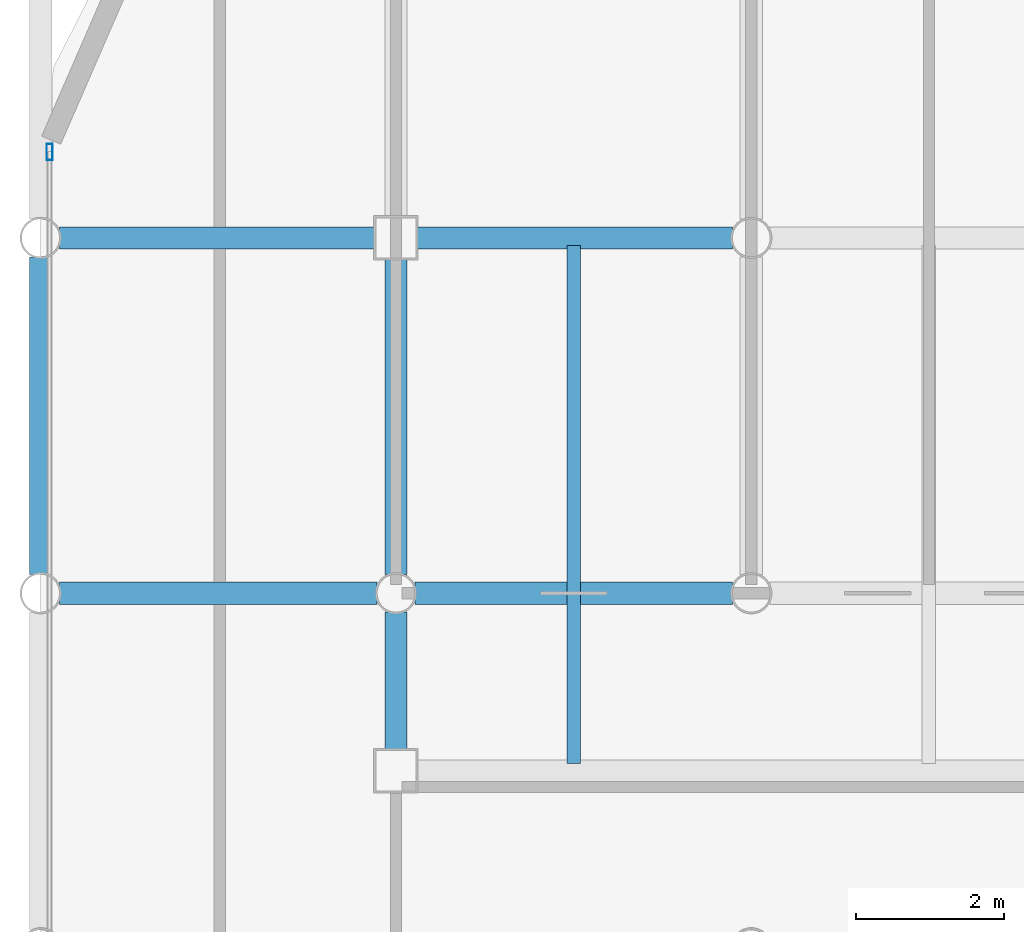
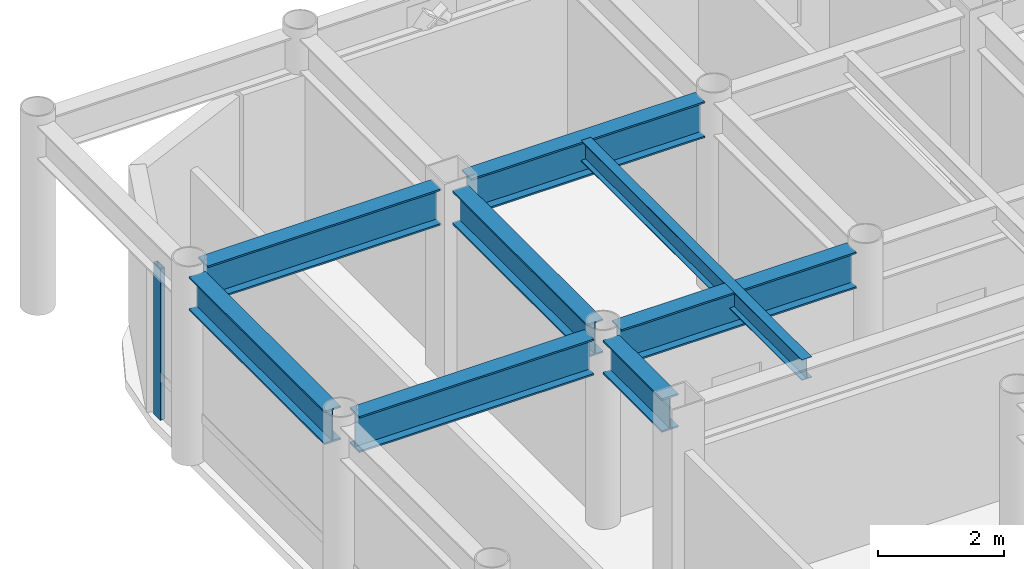
# One storey, part 11 of 21: 8 beams, 1 member, 1 element without a shape of its own.
"""IFC4 building model written with IfcOpenShell, lengths in metres."""

from ifc_helpers import new_model, si_unit, direction, frame, origin, origin_2d, place, context, subcontext, project, spatial, hollow_rectangle, i_section, extrude, material, layer, layer_set, material_profile, profile_set, type_object, element, aggregate, save


model = new_model("IFC4")

# Units and contexts
model_context = context("Model", 3, precision=1e-05, world=origin(), true_north=direction((0.0, 1.0)))
body_context = subcontext(model_context, "Body", "Model", "MODEL_VIEW")
ifc_project = project(units=[si_unit("LENGTHUNIT", "METRE"), si_unit("AREAUNIT", "SQUARE_METRE"), si_unit("VOLUMEUNIT", "CUBIC_METRE"), si_unit("PLANEANGLEUNIT", "RADIAN"), si_unit("MASSUNIT", "GRAM", prefix="KILO")], contexts=[model_context])

# Site, building, storey
site_placement = place(None, origin())
site = spatial("IfcSite", under=ifc_project, at=site_placement, CompositionType="ELEMENT")
building_placement = place(site_placement, origin())
building = spatial("IfcBuilding", under=site, at=building_placement, Name="Kallvorn Hotel Tower", CompositionType="ELEMENT")
storey_placement = place(building_placement, frame((0.0, 0.0, 214.60009765625)))
storey = spatial("IfcBuildingStorey", under=building, at=storey_placement, Name="L53", CompositionType="ELEMENT", Elevation=214.60009765625)

# Beams
ifc_material_1 = material(Name="Structural steel S355JR", Category="steel")
ifc_material_profile_1 = material_profile(ifc_material_1, i_section(OverallWidth=0.300048828125, OverallDepth=0.64990234375, WebThickness=0.01611328125, FlangeThickness=0.031005859375, at=origin_2d()), Name="HE 650 B")
ifc_profile_set_1 = profile_set([ifc_material_profile_1], Name="Structural steel S355JR")
beam_type_1 = type_object("IfcBeamType", Name="BM_HE650B", PredefinedType="BEAM", material=ifc_profile_set_1)
beam_1_placement = place(storey_placement, frame((-28.800048828125, 9.8544921875, 3.344970703125), z_axis=(0.0, 1.0, 0.0), x_axis=(-1.0, 0.0, 0.0)))
element("IfcBeam", 1, at=beam_1_placement, inside=storey, type_object=beam_type_1, Name="L54 Primary Y-Girder 79", PredefinedType="BEAM", context=body_context, shape_type="SweptSolid", body=[
    extrude(i_section(OverallWidth=0.300048828125, OverallDepth=0.64990234375, WebThickness=0.01611328125, FlangeThickness=0.031005859375, at=origin_2d()), origin(), (0.0, 0.0, 1.0), 4.291015625),
])
beam_2_placement = place(storey_placement, frame((-24.0, 7.47509765625, 3.344970703125), z_axis=(0.0, 1.0, 0.0), x_axis=(-1.0, 0.0, 0.0)))
element("IfcBeam", 2, at=beam_2_placement, inside=storey, type_object=beam_type_1, Name="L54 Primary Y-Girder 85", PredefinedType="BEAM", context=body_context, shape_type="SweptSolid", body=[
    extrude(i_section(OverallWidth=0.300048828125, OverallDepth=0.64990234375, WebThickness=0.01611328125, FlangeThickness=0.031005859375, at=origin_2d()), origin(), (0.0, 0.0, 1.0), 1.870361328125),
])
beam_3_placement = place(storey_placement, frame((-24.0, 9.8544921875, 3.344970703125), z_axis=(0.0, 1.0, 0.0), x_axis=(-1.0, 0.0, 0.0)))
element("IfcBeam", 3, at=beam_3_placement, inside=storey, type_object=beam_type_1, Name="L54 Primary Y-Girder 86", PredefinedType="BEAM", context=body_context, shape_type="SweptSolid", body=[
    extrude(i_section(OverallWidth=0.300048828125, OverallDepth=0.64990234375, WebThickness=0.01611328125, FlangeThickness=0.031005859375, at=origin_2d()), origin(), (0.0, 0.0, 1.0), 4.2705078125),
])
ifc_material_2 = material(Name="Structural steel S355JR", Category="steel")
ifc_material_profile_2 = material_profile(ifc_material_2, i_section(OverallWidth=0.300048828125, OverallDepth=0.699951171875, WebThickness=0.01708984375, FlangeThickness=0.031982421875, at=origin_2d()), Name="HE 700 B")
ifc_profile_set_2 = profile_set([ifc_material_profile_2], Name="Structural steel S355JR")
beam_type_2 = type_object("IfcBeamType", Name="BM_HE700B", PredefinedType="BEAM", material=ifc_profile_set_2)
for number, where, z_axis, x_axis, name in (
    (4, (-28.54541015625, 9.60009765625, 3.31982421875), (1.0, 0.0, 0.0), (0.0, 1.0, 0.0), "L54 Primary X-Girder 42"),
    (5, (-23.74560546875, 9.60009765625, 3.31982421875), (1.0, 0.0, 0.0), (0.0, 1.0, 0.0), "L54 Primary X-Girder 43"),
):
    element("IfcBeam", number, at=place(storey_placement, frame(where, z_axis=z_axis, x_axis=x_axis)), inside=storey, type_object=beam_type_2, Name=name, PredefinedType="BEAM", context=body_context, shape_type="SweptSolid", body=[
        extrude(i_section(OverallWidth=0.300048828125, OverallDepth=0.699951171875, WebThickness=0.01708984375, FlangeThickness=0.031982421875, at=origin_2d()), origin(), (0.0, 0.0, 1.0), 4.291015625),
    ])
for number, where, z_axis, x_axis, name in (
    (6, (-28.54541015625, 14.39990234375, 3.31982421875), (1.0, 0.0, 0.0), (0.0, 1.0, 0.0), "L54 Primary X-Girder 51"),
    (7, (-23.72509765625, 14.39990234375, 3.31982421875), (1.0, 0.0, 0.0), (0.0, 1.0, 0.0), "L54 Primary X-Girder 52"),
):
    element("IfcBeam", number, at=place(storey_placement, frame(where, z_axis=z_axis, x_axis=x_axis)), inside=storey, type_object=beam_type_2, Name=name, PredefinedType="BEAM", context=body_context, shape_type="SweptSolid", body=[
        extrude(i_section(OverallWidth=0.300048828125, OverallDepth=0.699951171875, WebThickness=0.01708984375, FlangeThickness=0.031982421875, at=origin_2d()), origin(), (0.0, 0.0, 1.0), 4.2705078125),
    ])
ifc_material_3 = material(Name="Structural steel S355JR", Category="steel")
ifc_material_profile_3 = material_profile(ifc_material_3, i_section(OverallWidth=0.179931640625, OverallDepth=0.39990234375, WebThickness=0.008544921875, FlangeThickness=0.013427734375, at=origin_2d()), Name="IPE 400")
ifc_profile_set_3 = profile_set([ifc_material_profile_3], Name="Structural steel S355JR")
beam_type_3 = type_object("IfcBeamType", Name="BM_IPE400", PredefinedType="JOIST", material=ifc_profile_set_3)
beam_4_placement = place(storey_placement, frame((-21.60009765625, 7.300048828125, 3.469970703125), z_axis=(0.0, 1.0, 0.0), x_axis=(-1.0, 0.0, 0.0)))
element("IfcBeam", 8, at=beam_4_placement, inside=storey, type_object=beam_type_3, Name="L54 Secondary Composite Joist 193", PredefinedType="JOIST", context=body_context, shape_type="SweptSolid", body=[
    extrude(i_section(OverallWidth=0.179931640625, OverallDepth=0.39990234375, WebThickness=0.008544921875, FlangeThickness=0.013427734375, at=origin_2d()), origin(), (0.0, 0.0, 1.0), 7.0),
])

# Curtain wall, member
ifc_material_4 = material(Name="Thermally broken black-anodised aluminium AA 6063-T6", Category="aluminium")
ifc_layer = layer(ifc_material_4, 0.22998046875)
ifc_layer_set = layer_set([ifc_layer], Name="CW_SYS_5_HOTEL_HIGH")
curtain_wall_type = type_object("IfcCurtainWallType", Name="CW_SYS_5_HOTEL_HIGH", PredefinedType="USERDEFINED", material=ifc_layer_set)
curtain_wall_placement = place(storey_placement, origin())
curtain_wall = element("IfcCurtainWall", 9, at=curtain_wall_placement, inside=storey, type_object=curtain_wall_type, Name="L53 Dark-Glass Curtain Wall CW-L53-WN", ObjectType="UNITISED CURTAIN WALL", PredefinedType="USERDEFINED")
ifc_material_5 = material(Name="Thermally broken black-anodised aluminium AA 6063-T6", Category="aluminium")
ifc_material_profile_4 = material_profile(ifc_material_5, hollow_rectangle(XDim=0.080078125, YDim=0.219970703125, WallThickness=0.0048828125, at=origin_2d()), Name="MUL 220x80")
ifc_profile_set_4 = profile_set([ifc_material_profile_4], Name="Thermally broken black-anodised aluminium AA 6063-T6")
member_type = type_object("IfcMemberType", Name="CW_MULLION_220x80", PredefinedType="MULLION", material=ifc_profile_set_4)
member_placement = place(storey_placement, frame((-28.679931640625, 15.56005859375, 0.02001953125), z_axis=(0.0, 0.0, 1.0), x_axis=(1.0, 0.0, 0.0)))
member = element("IfcMember", 10, at=member_placement, type_object=member_type, Name="CW-L53-WN Mullion 01", PredefinedType="MULLION", context=body_context, shape_type="SweptSolid", body=[
    extrude(hollow_rectangle(XDim=0.080078125, YDim=0.219970703125, WallThickness=0.0048828125, at=origin_2d()), origin(), (0.0, 0.0, 1.0), 2.929931640625),
])
aggregate(curtain_wall, [member])

save(model, "model.ifc")
